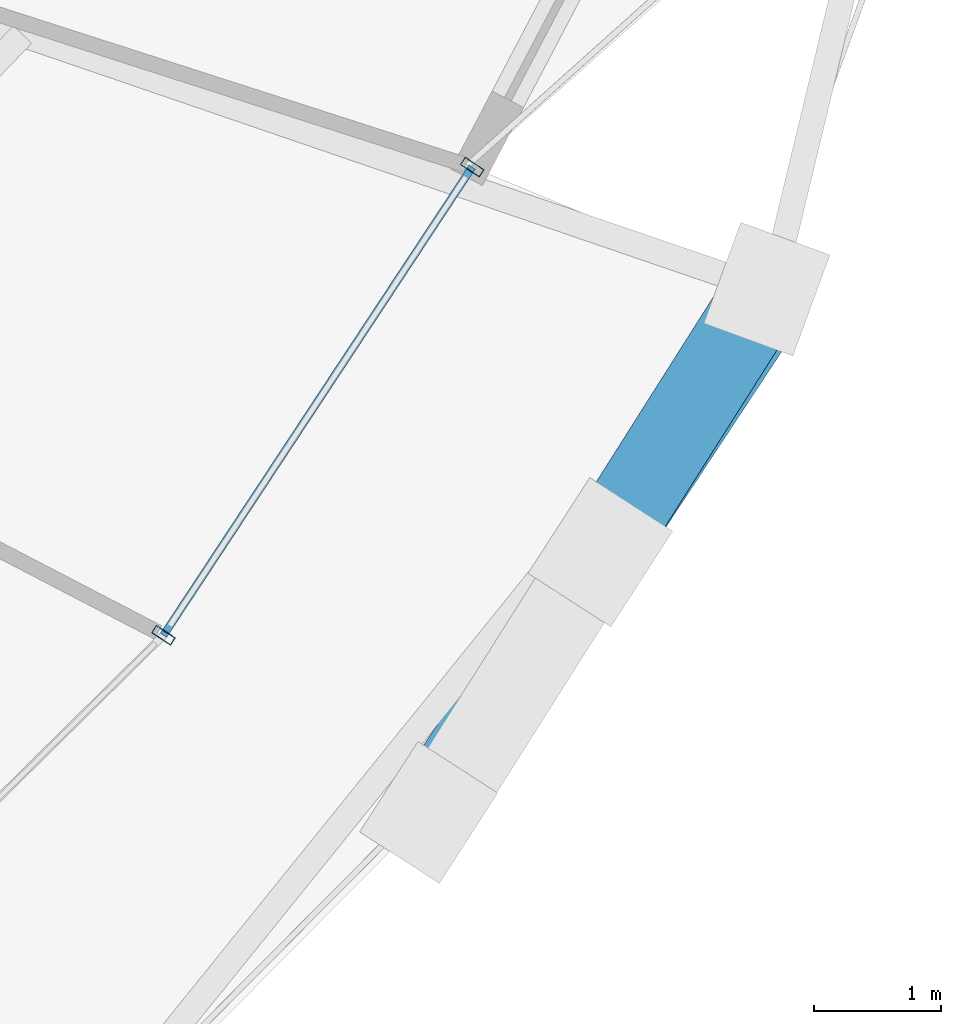
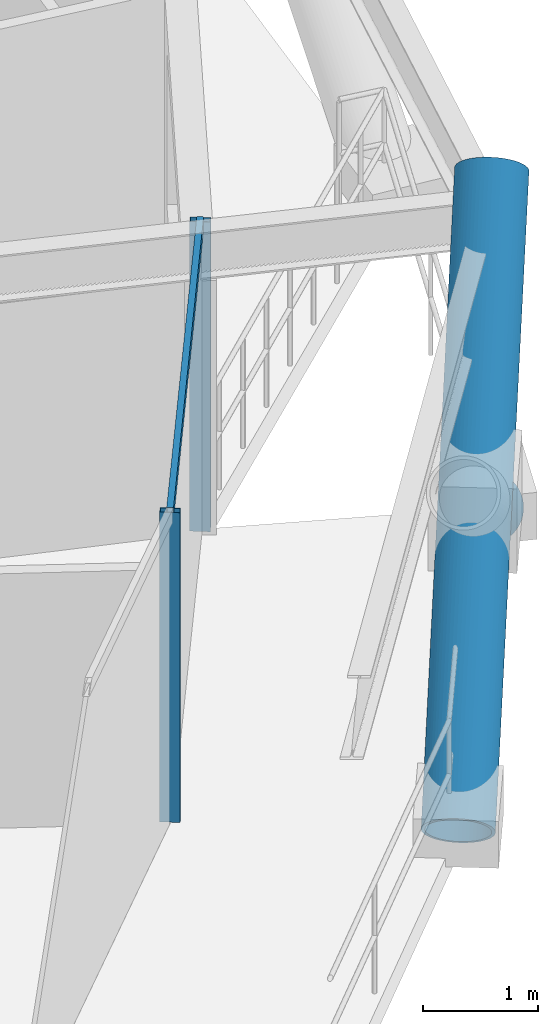
# One storey, part 10 of 19: 5 members, 1 element without a shape of its own.
"""IFC4 building model written with IfcOpenShell, lengths in metres."""

from ifc_helpers import new_model, si_unit, direction, frame, origin, origin_2d, place, context, subcontext, project, spatial, hollow_rectangle, hollow_circle, extrude, material, layer, layer_set, material_profile, profile_set, type_object, element, aggregate, save


model = new_model("IFC4")

# Units and contexts
model_context = context("Model", 3, precision=1e-05, world=origin(), true_north=direction((0.0, 1.0)))
body_context = subcontext(model_context, "Body", "Model", "MODEL_VIEW")
ifc_project = project(units=[si_unit("LENGTHUNIT", "METRE"), si_unit("AREAUNIT", "SQUARE_METRE"), si_unit("VOLUMEUNIT", "CUBIC_METRE"), si_unit("PLANEANGLEUNIT", "RADIAN"), si_unit("MASSUNIT", "GRAM", prefix="KILO")], contexts=[model_context])

# Site, building, storey
site_placement = place(None, origin())
site = spatial("IfcSite", under=ifc_project, at=site_placement, CompositionType="ELEMENT")
building_placement = place(site_placement, origin())
building = spatial("IfcBuilding", under=site, at=building_placement, Name="Veldorina Hangang Commons", CompositionType="ELEMENT")
storey_placement = place(building_placement, frame((0.0, 0.0, 70.0)))
storey = spatial("IfcBuildingStorey", under=building, at=storey_placement, Name="L17", CompositionType="ELEMENT", Elevation=70.0)

# Curtain wall, members
ifc_material_1 = material(Name="Glass Low-E Triple IGU", Category="glass")
ifc_layer = layer(ifc_material_1, 0.179931640625)
ifc_layer_set = layer_set([ifc_layer], Name="Glass Low-E Triple IGU")
curtain_wall_type = type_object("IfcCurtainWallType", Name="CW-SYS-Z1", PredefinedType="NOTDEFINED", material=ifc_layer_set)
curtain_wall_placement = place(storey_placement, origin())
curtain_wall = element("IfcCurtainWall", 1, at=curtain_wall_placement, inside=storey, type_object=curtain_wall_type, Name="L17 unitised curtain wall CW-L17-R2", PredefinedType="NOTDEFINED")
ifc_material_2 = material(Name="Aluminium Anodized AA6063-T6", Category="aluminium")
ifc_material_profile_1 = material_profile(ifc_material_2, hollow_rectangle(XDim=0.070068359375, YDim=0.179931640625, WallThickness=0.00390625, at=origin_2d()), Name="ALU-RHS-180x70x4")
ifc_profile_set_1 = profile_set([ifc_material_profile_1], Name="Aluminium Anodized AA6063-T6")
member_type_1 = type_object("IfcMemberType", Name="CW-MUL-180", PredefinedType="MULLION", material=ifc_profile_set_1)
member_1_placement = place(storey_placement, frame((53.947265625, 12.113037109375, 0.0), z_axis=(0.0, 0.0, 1.0), x_axis=(0.550495310845, 0.834838255435, 0.0)))
member_1 = element("IfcMember", 2, at=member_1_placement, type_object=member_type_1, Name="CW-L17-R2 vertical mullion 5", PredefinedType="MULLION", context=body_context, shape_type="SweptSolid", body=[
    extrude(hollow_rectangle(XDim=0.070068359375, YDim=0.179931640625, WallThickness=0.00390625, at=origin_2d()), origin(), (0.0, 0.0, 1.0), 3.300048828125),
])
member_2_placement = place(storey_placement, frame((56.386474609375, 15.812255859375, 0.0), z_axis=(0.0, 0.0, 1.0), x_axis=(-0.550495310845, -0.834838255435, 0.0)))
member_2 = element("IfcMember", 3, at=member_2_placement, type_object=member_type_1, Name="CW-L17-R2 vertical mullion 6", PredefinedType="MULLION", context=body_context, shape_type="SweptSolid", body=[
    extrude(hollow_rectangle(XDim=0.070068359375, YDim=0.179931640625, WallThickness=0.00390625, at=origin_2d()), origin(), (0.0, 0.0, 1.0), 3.300048828125),
])
ifc_material_profile_2 = material_profile(ifc_material_2, hollow_rectangle(XDim=0.06005859375, YDim=0.139892578125, WallThickness=0.00341796875, at=origin_2d()), Name="ALU-RHS-140x60x3.5")
ifc_profile_set_2 = profile_set([ifc_material_profile_2], Name="Aluminium Anodized AA6063-T6")
member_type_2 = type_object("IfcMemberType", Name="CW-TRN-140", PredefinedType="USERDEFINED", material=ifc_profile_set_2)
member_3_placement = place(storey_placement, frame((53.947265625, 12.113037109375, 3.260009765625), z_axis=(0.550484458049, 0.834845411706, 0.0), x_axis=(-0.834845411706, 0.550484458049, 0.0)))
member_3 = element("IfcMember", 4, at=member_3_placement, type_object=member_type_2, Name="CW-L17-R2 facet 5 transom 1", ObjectType="TRANSOM", PredefinedType="USERDEFINED", context=body_context, shape_type="SweptSolid", body=[
    extrude(hollow_rectangle(XDim=0.06005859375, YDim=0.139892578125, WallThickness=0.00341796875, at=origin_2d()), origin(), (0.0, 0.0, 1.0), 4.430908203125),
])
aggregate(curtain_wall, [member_1, member_2, member_3])

# Members
ifc_material_3 = material(Name="Steel SM460-TMC", Category="steel")
ifc_material_profile_3 = material_profile(ifc_material_3, hollow_circle(Radius=0.324951171875, WallThickness=0.031982421875, at=origin_2d()), Name="CHS-650x32")
ifc_profile_set_3 = profile_set([ifc_material_profile_3], Name="Steel SM460-TMC")
member_type_3 = type_object("IfcMemberType", Name="DG-CHS650", PredefinedType="BRACE", material=ifc_profile_set_3)
member_4_placement = place(storey_placement, frame((56.04248046875, 10.713134765625, 0.0), z_axis=(0.444700672722, 0.674248106826, 0.589602240601), x_axis=(-0.834781877058, 0.55058080037, 0.0)))
element("IfcMember", 5, at=member_4_placement, inside=storey, type_object=member_type_3, Name="L17 continuous perimeter diagrid brace 29", PredefinedType="BRACE", context=body_context, shape_type="SweptSolid", body=[
    extrude(hollow_circle(Radius=0.324951171875, WallThickness=0.031982421875, at=origin_2d()), origin(), (0.0, 0.0, 1.0), 6.10595703125),
])
member_5_placement = place(storey_placement, frame((58.714599609375, 14.847900390625, 0.0), z_axis=(-0.431783111807, -0.682087517315, 0.590186379953), x_axis=(0.844934207463, -0.534870250677, 0.0)))
element("IfcMember", 6, at=member_5_placement, inside=storey, type_object=member_type_3, Name="L17 split perimeter diagrid lower brace 30", PredefinedType="BRACE", context=body_context, shape_type="SweptSolid", body=[
    extrude(hollow_circle(Radius=0.324951171875, WallThickness=0.031982421875, at=origin_2d()), origin(), (0.0, 0.0, 1.0), 3.047119140625),
])

save(model, "model.ifc")
